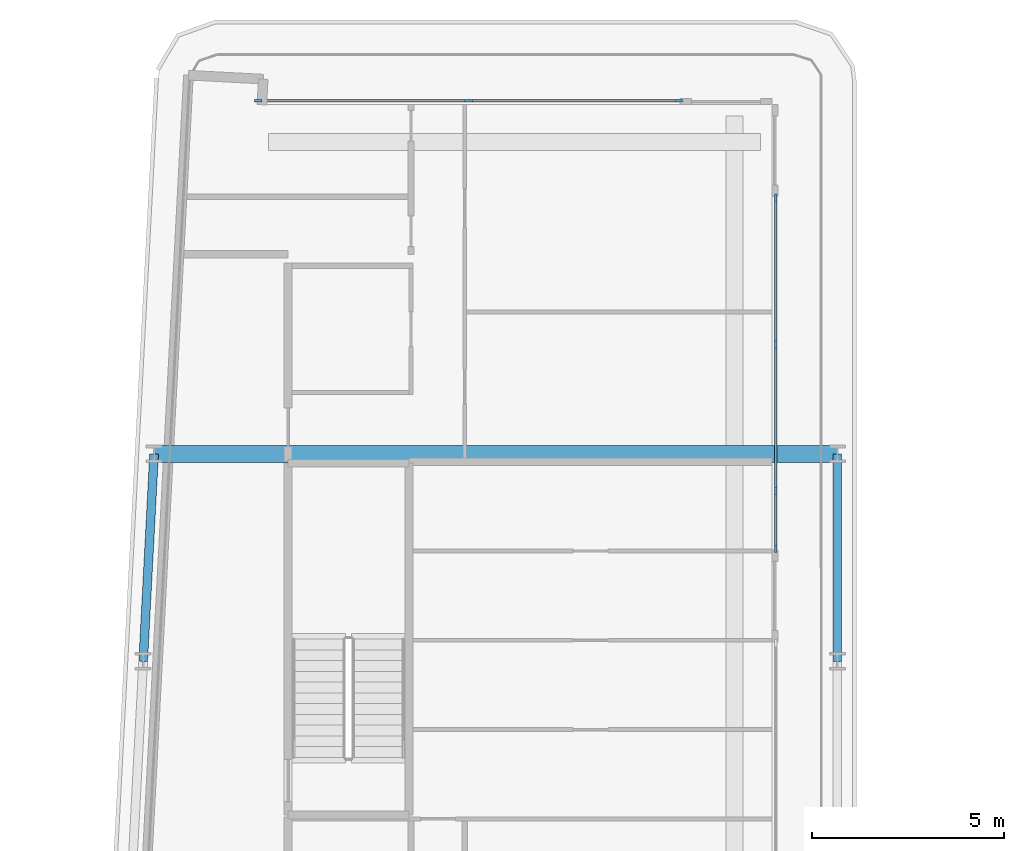
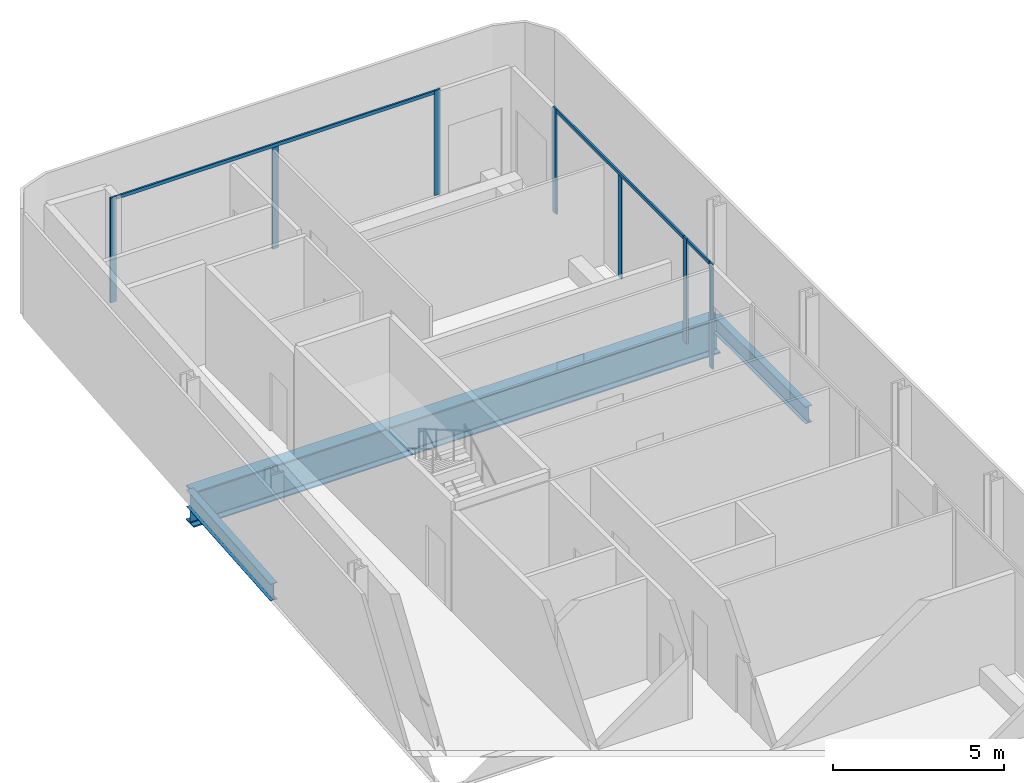
# One storey, part 9 of 29: 10 members, 3 beams, 3 elements without a shape of their own.
"""IFC4 building model written with IfcOpenShell, lengths in metres."""

from ifc_helpers import new_model, si_unit, direction, frame, origin, origin_2d, place, context, subcontext, project, spatial, rectangle, i_section, extrude, material, layer, layer_set, material_profile, profile_set, type_object, element, aggregate, save


model = new_model("IFC4")

# Units and contexts
model_context = context("Model", 3, precision=1e-05, world=origin(), true_north=direction((0.0, 1.0)))
body_context = subcontext(model_context, "Body", "Model", "MODEL_VIEW")
ifc_project = project(units=[si_unit("LENGTHUNIT", "METRE"), si_unit("AREAUNIT", "SQUARE_METRE"), si_unit("VOLUMEUNIT", "CUBIC_METRE"), si_unit("PLANEANGLEUNIT", "RADIAN"), si_unit("MASSUNIT", "GRAM", prefix="KILO")], contexts=[model_context])

# Site, building, storey
site_placement = place(None, origin())
site = spatial("IfcSite", under=ifc_project, at=site_placement, CompositionType="ELEMENT")
building_placement = place(site_placement, origin())
building = spatial("IfcBuilding", under=site, at=building_placement, Name="Kheshtan School and Residences Tower", CompositionType="ELEMENT")
storey_placement = place(building_placement, frame((0.0, 0.0, 117.5)))
storey = spatial("IfcBuildingStorey", under=building, at=storey_placement, Name="L27", CompositionType="ELEMENT", Elevation=117.5)

# Beams
ifc_material_1 = material(Name="Steel ASTM A992 Grade 50", Category="steel")
ifc_material_profile_1 = material_profile(ifc_material_1, i_section(OverallWidth=0.22802734375, OverallDepth=0.60302734375, WebThickness=0.010498046875, FlangeThickness=0.014892578125, FilletRadius=0.013427734375, at=origin_2d()), Name="W610x101")
ifc_profile_set_1 = profile_set([ifc_material_profile_1], Name="Steel ASTM A992 Grade 50")
beam_type_1 = type_object("IfcBeamType", Name="Beam SP2 W610x101 ASTM A992 Grade 50", PredefinedType="BEAM", material=ifc_profile_set_1)
beam_1_placement = place(storey_placement, frame((47.60009765625, 88.800048828125, -0.451416015625), z_axis=(0.0, -1.0, 0.0), x_axis=(1.0, 0.0, 0.0)))
element("IfcBeam", 1, at=beam_1_placement, inside=storey, type_object=beam_type_1, Name="Spandrel beam C099-C091", PredefinedType="BEAM", context=body_context, shape_type="SweptSolid", body=[
    extrude(i_section(OverallWidth=0.22802734375, OverallDepth=0.60302734375, WebThickness=0.010498046875, FlangeThickness=0.014892578125, FilletRadius=0.013427734375, at=origin_2d()), origin(), (0.0, 0.0, 1.0), 5.400146484375),
])
beam_2_placement = place(storey_placement, frame((29.527099609375, 83.39990234375, -0.451416015625), z_axis=(0.05250670125, 0.998620571751, 0.0), x_axis=(-0.998620571751, 0.05250670125, 0.0)))
element("IfcBeam", 2, at=beam_2_placement, inside=storey, type_object=beam_type_1, Name="Spandrel beam C090-C098", PredefinedType="BEAM", context=body_context, shape_type="SweptSolid", body=[
    extrude(i_section(OverallWidth=0.22802734375, OverallDepth=0.60302734375, WebThickness=0.010498046875, FlangeThickness=0.014892578125, FilletRadius=0.013427734375, at=origin_2d()), origin(), (0.0, 0.0, 1.0), 5.40771484375),
])

# Curtain wall, members
ifc_material_2 = material(Name="Clear low-e glass in thermally broken aluminium frame", Category="aluminium")
ifc_layer = layer(ifc_material_2, 0.199951171875)
ifc_layer_set = layer_set([ifc_layer], Name="Curtain wall CW-L")
curtain_wall_type = type_object("IfcCurtainWallType", Name="Curtain wall CW-L", PredefinedType="NOTDEFINED", material=ifc_layer_set)
curtain_wall_1_placement = place(storey_placement, origin())
curtain_wall_1 = element("IfcCurtainWall", 3, at=curtain_wall_1_placement, inside=storey, type_object=curtain_wall_type, Name="Curtain wall CWL7", PredefinedType="NOTDEFINED")
ifc_material_3 = material(Name="Thermally broken aluminium, dark bronze anodised", Category="aluminium")
ifc_material_profile_2 = material_profile(ifc_material_3, rectangle(XDim=0.06005859375, YDim=0.199951171875, at=origin_2d()), Name="CW-L mullion 60x200")
ifc_profile_set_2 = profile_set([ifc_material_profile_2], Name="Thermally broken aluminium, dark bronze anodised")
member_type_1 = type_object("IfcMemberType", Name="CW-L mullion 60x200", PredefinedType="MULLION", material=ifc_profile_set_2)
member_1_placement = place(storey_placement, frame((32.52197265625, 98.0, 0.0), z_axis=(0.0, 0.0, 1.0), x_axis=(0.0, 1.0, 0.0)))
member_1 = element("IfcMember", 4, at=member_1_placement, type_object=member_type_1, Name="CWL7 mullion 1", PredefinedType="MULLION", context=body_context, shape_type="SweptSolid", body=[
    extrude(rectangle(XDim=0.06005859375, YDim=0.199951171875, at=origin_2d()), origin(), (0.0, 0.0, 1.0), 3.75),
])
member_2_placement = place(storey_placement, frame((37.99609375, 98.0, 0.0), z_axis=(0.0, 0.0, 1.0), x_axis=(0.0, 1.0, 0.0)))
member_2 = element("IfcMember", 5, at=member_2_placement, type_object=member_type_1, Name="CWL7 mullion 2", PredefinedType="MULLION", context=body_context, shape_type="SweptSolid", body=[
    extrude(rectangle(XDim=0.06005859375, YDim=0.199951171875, at=origin_2d()), origin(), (0.0, 0.0, 1.0), 3.6298828125),
])
member_3_placement = place(storey_placement, frame((43.469970703125, 98.0, 0.0), z_axis=(0.0, 0.0, 1.0), x_axis=(0.0, 1.0, 0.0)))
member_3 = element("IfcMember", 6, at=member_3_placement, type_object=member_type_1, Name="CWL7 mullion 3", PredefinedType="MULLION", context=body_context, shape_type="SweptSolid", body=[
    extrude(rectangle(XDim=0.06005859375, YDim=0.199951171875, at=origin_2d()), origin(), (0.0, 0.0, 1.0), 3.75),
])

curtain_wall_2_placement = place(storey_placement, origin())
curtain_wall_2 = element("IfcCurtainWall", 7, at=curtain_wall_2_placement, inside=storey, type_object=curtain_wall_type, Name="Curtain wall CWL8", PredefinedType="NOTDEFINED")
member_4_placement = place(storey_placement, frame((46.0, 95.469970703125, 0.0), z_axis=(0.0, 0.0, 1.0), x_axis=(1.0, 0.0, 0.0)))
member_4 = element("IfcMember", 8, at=member_4_placement, type_object=member_type_1, Name="CWL8 mullion 1", PredefinedType="MULLION", context=body_context, shape_type="SweptSolid", body=[
    extrude(rectangle(XDim=0.06005859375, YDim=0.199951171875, at=origin_2d()), origin(), (0.0, 0.0, 1.0), 3.75),
])
member_5_placement = place(storey_placement, frame((46.0, 91.653076171875, 0.0), z_axis=(0.0, 0.0, 1.0), x_axis=(1.0, 0.0, 0.0)))
member_5 = element("IfcMember", 9, at=member_5_placement, type_object=member_type_1, Name="CWL8 mullion 2", PredefinedType="MULLION", context=body_context, shape_type="SweptSolid", body=[
    extrude(rectangle(XDim=0.06005859375, YDim=0.199951171875, at=origin_2d()), origin(), (0.0, 0.0, 1.0), 3.6298828125),
])
member_6_placement = place(storey_placement, frame((46.0, 87.8359375, 0.0), z_axis=(0.0, 0.0, 1.0), x_axis=(1.0, 0.0, 0.0)))
member_6 = element("IfcMember", 10, at=member_6_placement, type_object=member_type_1, Name="CWL8 mullion 3", PredefinedType="MULLION", context=body_context, shape_type="SweptSolid", body=[
    extrude(rectangle(XDim=0.06005859375, YDim=0.199951171875, at=origin_2d()), origin(), (0.0, 0.0, 1.0), 3.75),
])

# Curtain wall, member
curtain_wall_3_placement = place(storey_placement, origin())
curtain_wall_3 = element("IfcCurtainWall", 11, at=curtain_wall_3_placement, inside=storey, type_object=curtain_wall_type, Name="Curtain wall CWL8a", PredefinedType="NOTDEFINED")
member_7_placement = place(storey_placement, frame((46.0, 86.3359375, 0.0), z_axis=(0.0, 0.0, 1.0), x_axis=(1.0, 0.0, 0.0)))
member_7 = element("IfcMember", 12, at=member_7_placement, type_object=member_type_1, Name="CWL8a mullion 2", PredefinedType="MULLION", context=body_context, shape_type="SweptSolid", body=[
    extrude(rectangle(XDim=0.06005859375, YDim=0.199951171875, at=origin_2d()), origin(), (0.0, 0.0, 1.0), 3.75),
])

# Member
ifc_material_profile_3 = material_profile(ifc_material_3, rectangle(XDim=0.06005859375, YDim=0.1201171875, at=origin_2d()), Name="CW-L transom 60x120")
ifc_profile_set_3 = profile_set([ifc_material_profile_3], Name="Thermally broken aluminium, dark bronze anodised")
member_type_2 = type_object("IfcMemberType", Name="CW-L transom 60x120", PredefinedType="USERDEFINED", material=ifc_profile_set_3)
member_8_placement = place(storey_placement, frame((32.552001953125, 98.0, 3.68994140625), z_axis=(1.0, 0.0, 0.0), x_axis=(0.0, 1.0, 0.0)))
member_8 = element("IfcMember", 13, at=member_8_placement, type_object=member_type_2, Name="CWL7 transom 1", ObjectType="TRANSOM", PredefinedType="USERDEFINED", context=body_context, shape_type="SweptSolid", body=[
    extrude(rectangle(XDim=0.06005859375, YDim=0.1201171875, at=origin_2d()), origin(), (0.0, 0.0, 1.0), 10.887939453125),
])

aggregate(curtain_wall_1, [member_1, member_2, member_3, member_8])

member_9_placement = place(storey_placement, frame((46.0, 95.43994140625, 3.68994140625), z_axis=(0.0, -1.0, 0.0), x_axis=(1.0, 0.0, 0.0)))
member_9 = element("IfcMember", 14, at=member_9_placement, type_object=member_type_2, Name="CWL8 transom 1", ObjectType="TRANSOM", PredefinedType="USERDEFINED", context=body_context, shape_type="SweptSolid", body=[
    extrude(rectangle(XDim=0.06005859375, YDim=0.1201171875, at=origin_2d()), origin(), (0.0, 0.0, 1.0), 7.573974609375),
])

aggregate(curtain_wall_2, [member_4, member_5, member_6, member_9])

member_10_placement = place(storey_placement, frame((46.0, 87.805908203125, 3.68994140625), z_axis=(0.0, -1.0, 0.0), x_axis=(1.0, 0.0, 0.0)))
member_10 = element("IfcMember", 15, at=member_10_placement, type_object=member_type_2, Name="CWL8a transom 1", ObjectType="TRANSOM", PredefinedType="USERDEFINED", context=body_context, shape_type="SweptSolid", body=[
    extrude(rectangle(XDim=0.06005859375, YDim=0.1201171875, at=origin_2d()), origin(), (0.0, 0.0, 1.0), 1.43994140625),
])

aggregate(curtain_wall_3, [member_7, member_10])

# Beam
ifc_material_profile_4 = material_profile(ifc_material_1, i_section(OverallWidth=0.449951171875, OverallDepth=1.25, WebThickness=0.02490234375, FlangeThickness=0.044921875, FilletRadius=0.03759765625, at=origin_2d()), Name="WWF1250x546")
ifc_profile_set_4 = profile_set([ifc_material_profile_4], Name="Steel ASTM A992 Grade 50")
beam_type_2 = type_object("IfcBeamType", Name="Transfer girder TG4 WWF1250x546 ASTM A992 Grade 50", PredefinedType="BEAM", material=ifc_profile_set_4)
beam_3_placement = place(storey_placement, frame((29.81103515625, 88.800048828125, -0.77490234375), z_axis=(1.0, 0.0, 0.0), x_axis=(0.0, 1.0, 0.0)))
element("IfcBeam", 16, at=beam_3_placement, inside=storey, type_object=beam_type_2, Name="Transfer girder C098-C099", PredefinedType="BEAM", context=body_context, shape_type="SweptSolid", body=[
    extrude(i_section(OverallWidth=0.449951171875, OverallDepth=1.25, WebThickness=0.02490234375, FlangeThickness=0.044921875, FilletRadius=0.03759765625, at=origin_2d()), origin(), (0.0, 0.0, 1.0), 17.7890625),
])

save(model, "model.ifc")
